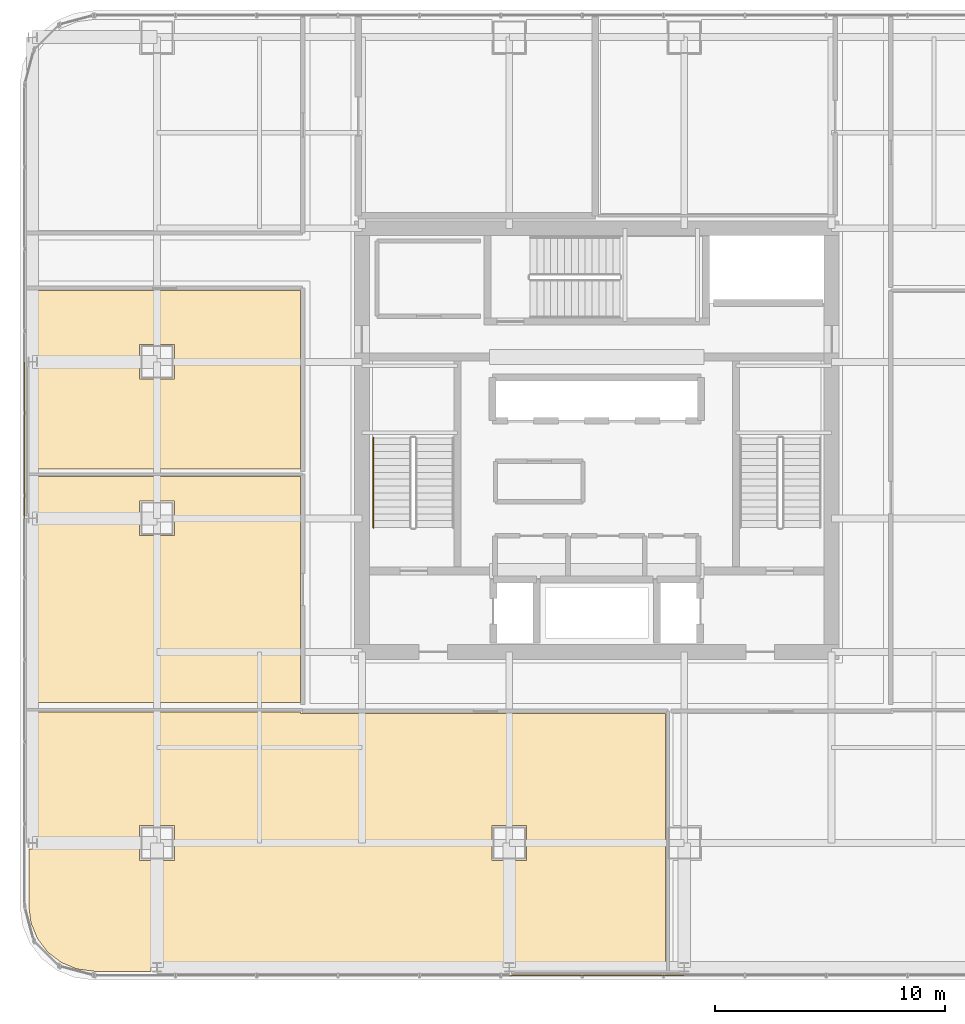
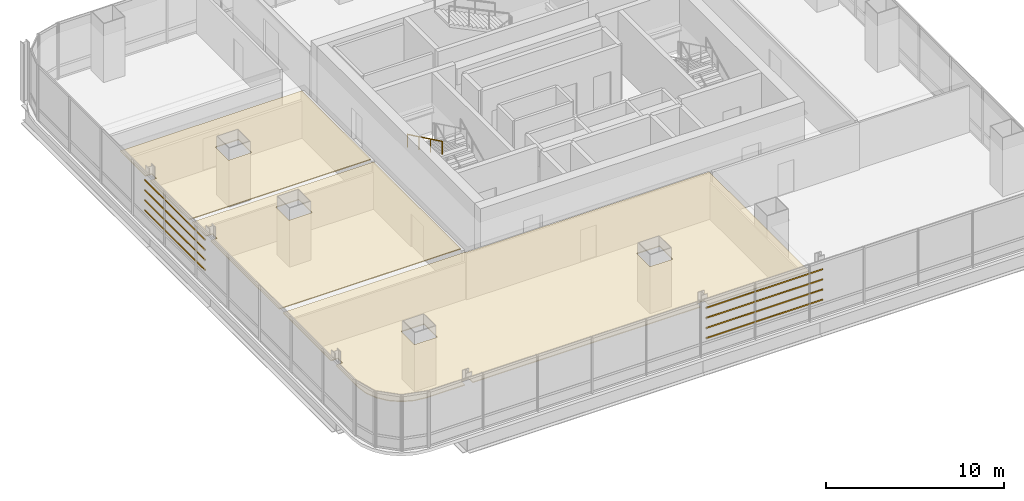
# One storey, part 32 of 36: 8 shading devices, 3 coverings, 1 railing.
"""IFC4 building model written with IfcOpenShell, lengths in metres."""

from ifc_helpers import new_model, si_unit, direction, frame, origin, origin_2d, place, context, subcontext, project, spatial, polyline, hollow_rectangle, circle, outline, extrude, material, layer, layer_set, material_profile, profile_set, type_object, element, save


model = new_model("IFC4")

# Units and contexts
model_context = context("Model", 3, precision=1e-05, world=origin(), true_north=direction((0.0, 1.0)))
body_context = subcontext(model_context, "Body", "Model", "MODEL_VIEW")
ifc_project = project(units=[si_unit("LENGTHUNIT", "METRE"), si_unit("AREAUNIT", "SQUARE_METRE"), si_unit("VOLUMEUNIT", "CUBIC_METRE"), si_unit("PLANEANGLEUNIT", "RADIAN"), si_unit("MASSUNIT", "GRAM", prefix="KILO")], contexts=[model_context])

# Site, building, storey
site_placement = place(None, origin())
site = spatial("IfcSite", under=ifc_project, at=site_placement, CompositionType="ELEMENT")
building_placement = place(site_placement, origin())
building = spatial("IfcBuilding", under=site, at=building_placement, Name="Punatoya Terracotta Tower", CompositionType="ELEMENT")
storey_placement = place(building_placement, frame((0.0, 0.0, 184.35009765625)))
storey = spatial("IfcBuildingStorey", under=building, at=storey_placement, Name="L43", CompositionType="ELEMENT", Elevation=184.35009765625)

# Coverings
ifc_material_1 = material(Name="Acoustic Mineral Fibre Ceiling")
ifc_layer = layer(ifc_material_1, 0.06005859375)
ifc_layer_set = layer_set([ifc_layer], Name="Acoustic Mineral Fibre Ceiling")
covering_type = type_object("IfcCoveringType", Name="COV-CEIL-60", PredefinedType="CEILING", material=ifc_layer_set)
covering_1_placement = place(storey_placement, frame((0.0, 0.0, 3.219970703125)))
element("IfcCovering", 1, at=covering_1_placement, inside=storey, type_object=covering_type, Name="L43 Staff Wellness Studio Acoustic Ceiling", PredefinedType="CEILING", context=body_context, shape_type="SweptSolid", body=[
    extrude(outline(polyline([(-12.8701171875, -11.8701171875), (-12.8701171875, -11.81005859375), (-24.669921875, -11.81005859375), (-24.669921875, -17.237548828125), (-24.24560546875, -17.237548828125), (-24.24560546875, -17.762451171875), (-24.669921875, -17.762451171875), (-24.669921875, -20.22509765625), (-24.57080078125, -20.97900390625), (-24.289306640625, -21.658203125), (-23.841796875, -22.24169921875), (-23.25830078125, -22.689453125), (-22.5791015625, -22.970703125), (-21.8251953125, -23.070068359375), (-19.3544921875, -23.070068359375), (-19.3544921875, -22.637451171875), (-18.845458984375, -22.637451171875), (-18.845458984375, -23.070068359375), (-4.054443359375, -23.070068359375), (-4.054443359375, -22.637451171875), (-3.54541015625, -22.637451171875), (-3.54541015625, -23.070068359375), (2.99609375, -23.070068359375), (2.99609375, -11.8701171875), (-12.8701171875, -11.8701171875)]), holes=[polyline([(-4.550048828125, -16.75), (-3.050048828125, -16.75), (-3.050048828125, -18.25), (-4.550048828125, -18.25), (-4.550048828125, -16.75)]), polyline([(-19.85009765625, -18.25), (-19.85009765625, -16.75), (-18.35009765625, -16.75), (-18.35009765625, -18.25), (-19.85009765625, -18.25)])]), origin(), (0.0, 0.0, 1.0), 0.059814453125),
])
covering_2_placement = place(storey_placement, frame((0.0, 0.0, 3.219970703125)))
element("IfcCovering", 2, at=covering_2_placement, inside=storey, type_object=covering_type, Name="L43 Open-Plan Cultural History Classroom Acoustic Ceiling", PredefinedType="CEILING", context=body_context, shape_type="SweptSolid", body=[
    extrude(outline(polyline([(-24.669921875, -3.66259765625), (-24.669921875, -11.389892578125), (-12.8701171875, -11.389892578125), (-12.8701171875, -1.5791015625), (-24.669921875, -1.5791015625), (-24.669921875, -3.137451171875), (-24.24560546875, -3.137451171875), (-24.24560546875, -3.66259765625), (-24.669921875, -3.66259765625)]), holes=[polyline([(-18.35009765625, -4.14990234375), (-19.85009765625, -4.14990234375), (-19.85009765625, -2.64990234375), (-18.35009765625, -2.64990234375), (-18.35009765625, -4.14990234375)])]), origin(), (0.0, 0.0, 1.0), 0.059814453125),
])
covering_3_placement = place(storey_placement, frame((0.0, 0.0, 3.219970703125)))
element("IfcCovering", 3, at=covering_3_placement, inside=storey, type_object=covering_type, Name="L43 Open-Plan Nutrition Tea Pantry Acoustic Ceiling", PredefinedType="CEILING", context=body_context, shape_type="SweptSolid", body=[
    extrude(outline(polyline([(-24.669921875, 3.137451171875), (-24.669921875, -1.259033203125), (-12.8701171875, -1.259033203125), (-12.8701171875, 6.5), (-24.669921875, 6.5), (-24.669921875, 3.66259765625), (-24.24560546875, 3.66259765625), (-24.24560546875, 3.137451171875), (-24.669921875, 3.137451171875)]), holes=[polyline([(-18.35009765625, 4.14990234375), (-18.35009765625, 2.64990234375), (-19.85009765625, 2.64990234375), (-19.85009765625, 4.14990234375), (-18.35009765625, 4.14990234375)])]), origin(), (0.0, 0.0, 1.0), 0.059814453125),
])

# Railing
ifc_material_2 = material(Name="Steel S355", Category="steel")
railing_type = type_object("IfcRailingType", Name="RLG-HND-900", PredefinedType="HANDRAIL", material=ifc_material_2)
railing_placement = place(storey_placement, frame((-9.699951171875, 0.10009765625, 2.16943359375)))
element("IfcRailing", 4, at=railing_placement, inside=storey, type_object=railing_type, Name="L43 ST-1 stair handrail 2", PredefinedType="HANDRAIL", context=body_context, shape_type="SweptSolid", body=[
    extrude(circle(Radius=0.02392578125, at=origin_2d()), frame((0.0, 0.0, 0.8759765625), z_axis=(0.0, -0.900773802044, 0.434288564841), x_axis=(1.0, 0.0, 0.0)), (0.0, 0.0, 1.0), 4.329833984375),
    extrude(circle(Radius=0.02099609375, at=origin_2d()), origin(), (0.0, 0.0, 1.0), 0.851806640625),
    extrude(circle(Radius=0.02099609375, at=origin_2d()), frame((0.0, -1.300048828125, 0.626708984375)), (0.0, 0.0, 1.0), 0.851806640625),
    extrude(circle(Radius=0.02099609375, at=origin_2d()), frame((0.0, -2.60009765625, 1.253662109375)), (0.0, 0.0, 1.0), 0.851806640625),
    extrude(circle(Radius=0.02099609375, at=origin_2d()), frame((0.0, -3.900146484375, 1.88037109375)), (0.0, 0.0, 1.0), 0.851806640625),
])

# Shading devices
ifc_material_3 = material(Name="Architectural Fired Terracotta", Category="masonry")
ifc_material_profile = material_profile(ifc_material_3, hollow_rectangle(XDim=0.06005859375, YDim=0.090087890625, WallThickness=0.013916015625, at=origin_2d()))
ifc_profile_set = profile_set([ifc_material_profile], Name="Architectural Fired Terracotta")
shading_device_type = type_object("IfcShadingDeviceType", Name="SHD-JALI-90", PredefinedType="JALOUSIE", material=ifc_profile_set)
for number, where, z_axis, x_axis, name in (
    (5, (-3.800048828125, -23.25244140625, 1.14990234375), (1.0, 0.0, 0.0), (0.0, 1.0, 0.0), "L43 Fired Terracotta Baguette Louvre BAG-L43-S-01"),
    (6, (-3.800048828125, -23.25244140625, 1.84326171875), (1.0, 0.0, 0.0), (0.0, 1.0, 0.0), "L43 Fired Terracotta Baguette Louvre BAG-L43-S-02"),
    (7, (-3.800048828125, -23.25244140625, 2.53662109375), (1.0, 0.0, 0.0), (0.0, 1.0, 0.0), "L43 Fired Terracotta Baguette Louvre BAG-L43-S-03"),
    (8, (-3.800048828125, -23.25244140625, 3.22998046875), (1.0, 0.0, 0.0), (0.0, 1.0, 0.0), "L43 Fired Terracotta Baguette Louvre BAG-L43-S-04"),
):
    element("IfcShadingDevice", number, at=place(storey_placement, frame(where, z_axis=z_axis, x_axis=x_axis)), inside=storey, type_object=shading_device_type, Name=name, PredefinedType="JALOUSIE", context=body_context, shape_type="SweptSolid", body=[
        extrude(hollow_rectangle(XDim=0.06005859375, YDim=0.090087890625, WallThickness=0.013916015625, at=origin_2d()), origin(), (0.0, 0.0, 1.0), 7.60009765625),
    ])
for number, where, z_axis, x_axis, name in (
    (9, (-24.8525390625, -3.39990234375, 1.14990234375), (0.0, 1.0, 0.0), (-1.0, 0.0, 0.0), "L43 Fired Terracotta Baguette Louvre BAG-L43-W-01"),
    (10, (-24.8525390625, -3.39990234375, 1.84326171875), (0.0, 1.0, 0.0), (-1.0, 0.0, 0.0), "L43 Fired Terracotta Baguette Louvre BAG-L43-W-02"),
    (11, (-24.8525390625, -3.39990234375, 2.53662109375), (0.0, 1.0, 0.0), (-1.0, 0.0, 0.0), "L43 Fired Terracotta Baguette Louvre BAG-L43-W-03"),
    (12, (-24.8525390625, -3.39990234375, 3.22998046875), (0.0, 1.0, 0.0), (-1.0, 0.0, 0.0), "L43 Fired Terracotta Baguette Louvre BAG-L43-W-04"),
):
    element("IfcShadingDevice", number, at=place(storey_placement, frame(where, z_axis=z_axis, x_axis=x_axis)), inside=storey, type_object=shading_device_type, Name=name, PredefinedType="JALOUSIE", context=body_context, shape_type="SweptSolid", body=[
        extrude(hollow_rectangle(XDim=0.06005859375, YDim=0.090087890625, WallThickness=0.013916015625, at=origin_2d()), origin(), (0.0, 0.0, 1.0), 6.7998046875),
    ])

save(model, "model.ifc")
